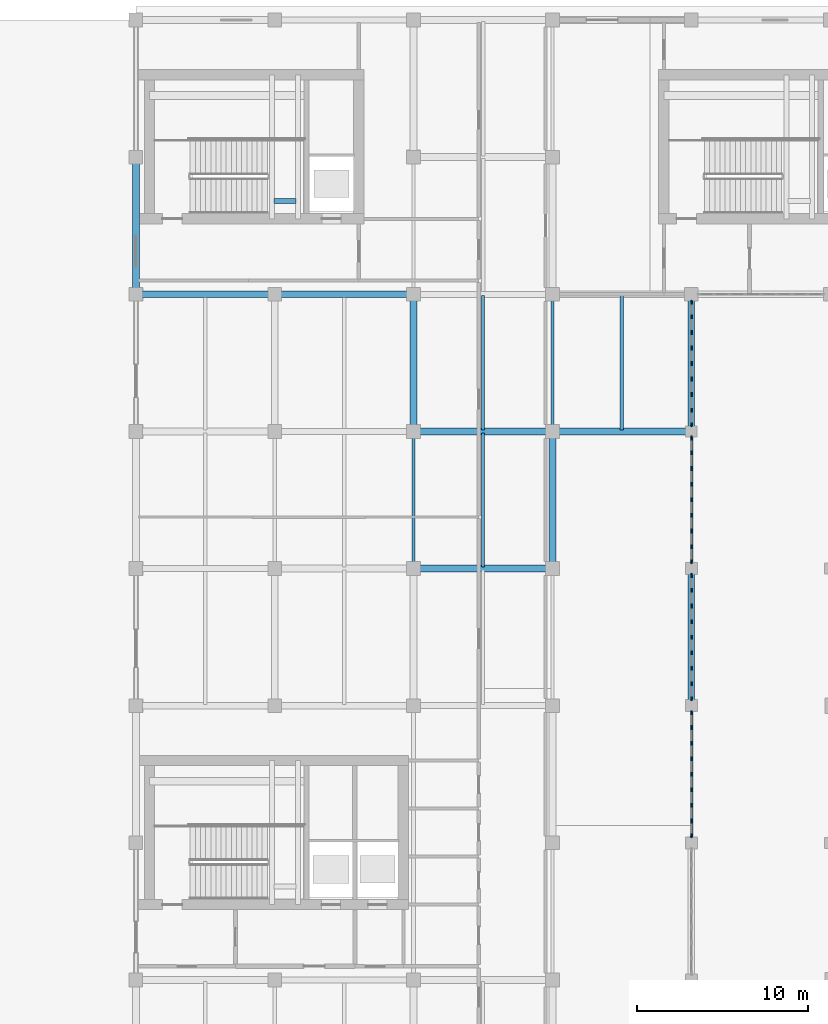
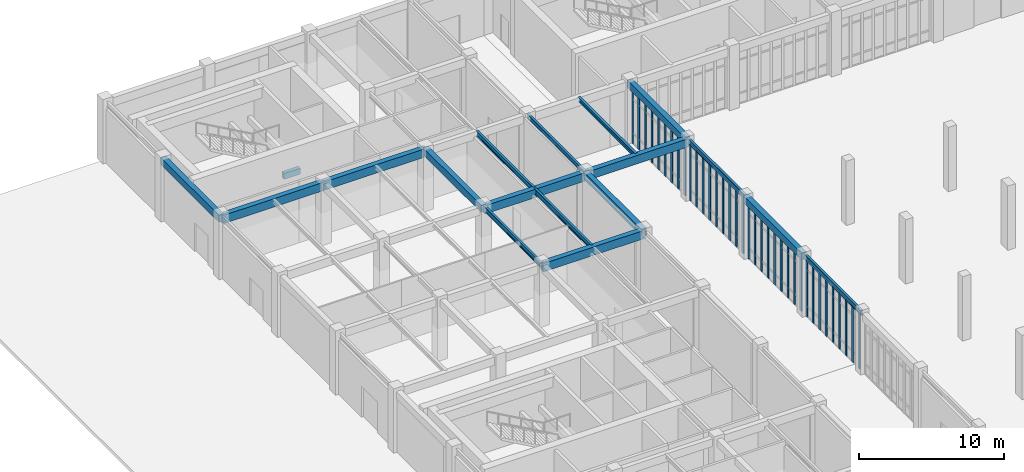
# One storey, part 13 of 62: 36 members, 18 beams, 4 elements without a shape of their own.
"""IFC4 building model written with IfcOpenShell, lengths in metres."""

from ifc_helpers import new_model, si_unit, direction, frame, origin, origin_2d, place, context, subcontext, project, spatial, rectangle, i_section, extrude, material, material_profile, profile_set, type_object, element, aggregate, save


model = new_model("IFC4")

# Units and contexts
model_context = context("Model", 3, precision=1e-05, world=origin(), true_north=direction((0.0, 1.0)))
body_context = subcontext(model_context, "Body", "Model", "MODEL_VIEW")
ifc_project = project(units=[si_unit("LENGTHUNIT", "METRE"), si_unit("AREAUNIT", "SQUARE_METRE"), si_unit("VOLUMEUNIT", "CUBIC_METRE"), si_unit("PLANEANGLEUNIT", "RADIAN"), si_unit("MASSUNIT", "GRAM", prefix="KILO")], contexts=[model_context])

# Site, building, storey
site_placement = place(None, origin())
site = spatial("IfcSite", under=ifc_project, at=site_placement, CompositionType="ELEMENT")
building_placement = place(site_placement, origin())
building = spatial("IfcBuilding", under=site, at=building_placement, Name="Tarnveldt Square Police Headquarters", CompositionType="ELEMENT")
storey_placement = place(building_placement, origin())
storey = spatial("IfcBuildingStorey", under=building, at=storey_placement, Name="L00", CompositionType="ELEMENT", Elevation=0.0)

# Beams
ifc_material_1 = material(Name="Concrete 40 MPa", Category="concrete")
ifc_material_profile_1 = material_profile(ifc_material_1, rectangle(XDim=0.300048828125, YDim=0.5, at=origin_2d()), Name="RC-B300x500")
ifc_profile_set_1 = profile_set([ifc_material_profile_1], Name="Concrete 40 MPa")
beam_type_1 = type_object("IfcBeamType", Name="BM-RC300x500", PredefinedType="BEAM", material=ifc_profile_set_1)
beam_1_placement = place(storey_placement, frame((24.25, 101.449951171875, 2.25), z_axis=(1.0, 0.0, 0.0), x_axis=(0.0, 1.0, 0.0)))
element("IfcBeam", 1, at=beam_1_placement, inside=storey, type_object=beam_type_1, Name="ST2 L00 Half-Landing Support Beam 2", PredefinedType="BEAM", context=body_context, shape_type="SweptSolid", body=[
    extrude(rectangle(XDim=0.300048828125, YDim=0.5, at=origin_2d()), origin(), (0.0, 0.0, 1.0), 1.300048828125),
])
ifc_material_profile_2 = material_profile(ifc_material_1, rectangle(XDim=0.39990234375, YDim=0.60009765625, at=origin_2d()), Name="RC-B400x600")
ifc_profile_set_2 = profile_set([ifc_material_profile_2], Name="Concrete 40 MPa")
beam_type_2 = type_object("IfcBeamType", Name="BM-RC400x600", PredefinedType="BEAM", material=ifc_profile_set_2)
for number, where, z_axis, x_axis, name in (
    (2, (16.199951171875, 96.0, 4.820068359375), (0.0, 1.0, 0.0), (-1.0, 0.0, 0.0), "L01 Grid Girder Y-0353"),
    (3, (32.39990234375, 88.0, 4.820068359375), (0.0, 1.0, 0.0), (-1.0, 0.0, 0.0), "L01 Grid Girder Y-0371"),
    (4, (40.5, 80.0, 4.820068359375), (0.0, 1.0, 0.0), (-1.0, 0.0, 0.0), "L01 Grid Girder Y-0383"),
    (5, (48.60009765625, 72.0, 4.820068359375), (0.0, 1.0, 0.0), (-1.0, 0.0, 0.0), "L01 Grid Girder Y-0393"),
    (6, (48.60009765625, 88.0, 4.820068359375), (0.0, 1.0, 0.0), (-1.0, 0.0, 0.0), "L01 Grid Girder Y-0395"),
):
    element("IfcBeam", number, at=place(storey_placement, frame(where, z_axis=z_axis, x_axis=x_axis)), inside=storey, type_object=beam_type_2, Name=name, PredefinedType="BEAM", context=body_context, shape_type="SweptSolid", body=[
        extrude(rectangle(XDim=0.39990234375, YDim=0.60009765625, at=origin_2d()), origin(), (0.0, 0.0, 1.0), 8.0),
    ])
ifc_material_profile_3 = material_profile(ifc_material_1, rectangle(XDim=0.39990234375, YDim=0.699951171875, at=origin_2d()), Name="RC-B400x700")
ifc_profile_set_3 = profile_set([ifc_material_profile_3], Name="Concrete 40 MPa")
beam_type_3 = type_object("IfcBeamType", Name="BM-RC400x700", PredefinedType="BEAM", material=ifc_profile_set_3)
for number, where, z_axis, x_axis, name in (
    (7, (32.39990234375, 80.0, 4.77001953125), (1.0, 0.0, 0.0), (0.0, 1.0, 0.0), "L01 Grid Girder X-0297"),
    (8, (32.39990234375, 88.0, 4.77001953125), (1.0, 0.0, 0.0), (0.0, 1.0, 0.0), "L01 Grid Girder X-0302"),
    (9, (40.5, 88.0, 4.77001953125), (1.0, 0.0, 0.0), (0.0, 1.0, 0.0), "L01 Grid Girder X-0303"),
    (10, (16.199951171875, 96.0, 4.77001953125), (1.0, 0.0, 0.0), (0.0, 1.0, 0.0), "L01 Grid Girder X-0305"),
):
    element("IfcBeam", number, at=place(storey_placement, frame(where, z_axis=z_axis, x_axis=x_axis)), inside=storey, type_object=beam_type_3, Name=name, PredefinedType="BEAM", context=body_context, shape_type="SweptSolid", body=[
        extrude(rectangle(XDim=0.39990234375, YDim=0.699951171875, at=origin_2d()), origin(), (0.0, 0.0, 1.0), 8.10009765625),
    ])
beam_2_placement = place(storey_placement, frame((24.300048828125, 96.0, 4.77001953125), z_axis=(1.0, 0.0, 0.0), x_axis=(0.0, 1.0, 0.0)))
element("IfcBeam", 11, at=beam_2_placement, inside=storey, type_object=beam_type_3, Name="L01 Grid Girder X-0306", PredefinedType="BEAM", context=body_context, shape_type="SweptSolid", body=[
    extrude(rectangle(XDim=0.39990234375, YDim=0.699951171875, at=origin_2d()), origin(), (0.0, 0.0, 1.0), 8.099853515625),
])
ifc_material_2 = material(Name="Steel 350W", Category="steel")
ifc_material_profile_4 = material_profile(ifc_material_2, i_section(OverallWidth=0.205078125, OverallDepth=0.35400390625, WebThickness=0.009521484375, FlangeThickness=0.016845703125, FilletRadius=0.01611328125, at=origin_2d()), Name="W360x79")
ifc_profile_set_4 = profile_set([ifc_material_profile_4], Name="Steel 350W")
beam_type_4 = type_object("IfcBeamType", Name="BM-W360x79", PredefinedType="JOIST", material=ifc_profile_set_4)
beam_3_placement = place(storey_placement, frame((44.550048828125, 88.080078125, 4.943115234375), z_axis=(0.0, 1.0, 0.0), x_axis=(-1.0, 0.0, 0.0)))
element("IfcBeam", 12, at=beam_3_placement, inside=storey, type_object=beam_type_4, Name="L01 Secondary Floor Joist 0082", PredefinedType="JOIST", context=body_context, shape_type="SweptSolid", body=[
    extrude(i_section(OverallWidth=0.205078125, OverallDepth=0.35400390625, WebThickness=0.009521484375, FlangeThickness=0.016845703125, FilletRadius=0.01611328125, at=origin_2d()), origin(), (0.0, 0.0, 1.0), 7.83984375),
])
ifc_material_profile_5 = material_profile(ifc_material_2, i_section(OverallWidth=0.177978515625, OverallDepth=0.406982421875, WebThickness=0.0078125, FlangeThickness=0.0126953125, FilletRadius=0.01611328125, at=origin_2d()), Name="W410x60")
ifc_profile_set_5 = profile_set([ifc_material_profile_5], Name="Steel 350W")
beam_type_5 = type_object("IfcBeamType", Name="BM-W410x60", PredefinedType="JOIST", material=ifc_profile_set_5)
for number, where, z_axis, x_axis, name in (
    (13, (36.449951171875, 80.080078125, 4.91650390625), (0.0, 1.0, 0.0), (-1.0, 0.0, 0.0), "L01 Secondary Floor Joist 0077"),
    (14, (36.449951171875, 88.080078125, 4.91650390625), (0.0, 1.0, 0.0), (-1.0, 0.0, 0.0), "L01 Secondary Floor Joist 0081"),
):
    element("IfcBeam", number, at=place(storey_placement, frame(where, z_axis=z_axis, x_axis=x_axis)), inside=storey, type_object=beam_type_5, Name=name, PredefinedType="JOIST", context=body_context, shape_type="SweptSolid", body=[
        extrude(i_section(OverallWidth=0.177978515625, OverallDepth=0.406982421875, WebThickness=0.0078125, FlangeThickness=0.0126953125, FilletRadius=0.01611328125, at=origin_2d()), origin(), (0.0, 0.0, 1.0), 7.83984375),
    ])
ifc_material_profile_6 = material_profile(ifc_material_2, i_section(OverallWidth=0.180908203125, OverallDepth=0.4169921875, WebThickness=0.010986328125, FlangeThickness=0.018310546875, FilletRadius=0.01611328125, at=origin_2d()), Name="W410x85")
ifc_profile_set_6 = profile_set([ifc_material_profile_6], Name="Steel 350W")
beam_type_6 = type_object("IfcBeamType", Name="BM-W410x85", PredefinedType="BEAM", material=ifc_profile_set_6)
for number, where, z_axis, x_axis, name in (
    (15, (32.39990234375, 80.0, 4.91162109375), (0.0, 1.0, 0.0), (-1.0, 0.0, 0.0), "L01 Grid Girder Y-0370"),
    (16, (40.5, 88.0, 4.91162109375), (0.0, 1.0, 0.0), (-1.0, 0.0, 0.0), "L01 Grid Girder Y-0384"),
    (17, (48.60009765625, 64.0, 4.91162109375), (0.0, 1.0, 0.0), (-1.0, 0.0, 0.0), "L01 Grid Girder Y-0392"),
    (18, (48.60009765625, 80.0, 4.91162109375), (0.0, 1.0, 0.0), (-1.0, 0.0, 0.0), "L01 Grid Girder Y-0394"),
):
    element("IfcBeam", number, at=place(storey_placement, frame(where, z_axis=z_axis, x_axis=x_axis)), inside=storey, type_object=beam_type_6, Name=name, PredefinedType="BEAM", context=body_context, shape_type="SweptSolid", body=[
        extrude(i_section(OverallWidth=0.180908203125, OverallDepth=0.4169921875, WebThickness=0.010986328125, FlangeThickness=0.018310546875, FilletRadius=0.01611328125, at=origin_2d()), origin(), (0.0, 0.0, 1.0), 8.0),
    ])

# Curtain wall, members
ifc_material_3 = material(Name="Triple-glazed low-e laminated vision glass", Category="glass")
curtain_wall_type_1 = type_object("IfcCurtainWallType", Name="CW-WG-727x470", PredefinedType="USERDEFINED", material=ifc_material_3)
curtain_wall_1_placement = place(storey_placement, origin())
curtain_wall_1 = element("IfcCurtainWall", 19, at=curtain_wall_1_placement, inside=storey, type_object=curtain_wall_type_1, Name="L00 Curtain Wall CW-L00-063", ObjectType="GLAZED CURTAIN WALL", PredefinedType="USERDEFINED")
ifc_material_4 = material(Name="Thermally broken anodised aluminium 6063-T6", Category="aluminium")
ifc_material_profile_7 = material_profile(ifc_material_4, rectangle(XDim=0.0849609375, YDim=0.239990234375, at=origin_2d()), Name="CW-M85x240")
ifc_profile_set_7 = profile_set([ifc_material_profile_7], Name="Thermally broken anodised aluminium 6063-T6")
member_type = type_object("IfcMemberType", Name="CWM-85x240", PredefinedType="MULLION", material=ifc_profile_set_7)
member_1_placement = place(storey_placement, frame((48.60009765625, 64.407470703125, 0.0), z_axis=(0.0, 0.0, 1.0), x_axis=(-1.0, 0.0, 0.0)))
member_1 = element("IfcMember", 20, at=member_1_placement, type_object=member_type, Name="CW-WG25 mullion 1", PredefinedType="MULLION", context=body_context, shape_type="SweptSolid", body=[
    extrude(rectangle(XDim=0.0849609375, YDim=0.239990234375, at=origin_2d()), origin(), (0.0, 0.0, 1.0), 4.695068359375),
])
member_2_placement = place(storey_placement, frame((48.60009765625, 65.273681640625, 0.0), z_axis=(0.0, 0.0, 1.0), x_axis=(-1.0, 0.0, 0.0)))
member_2 = element("IfcMember", 21, at=member_2_placement, type_object=member_type, Name="CW-WG25 mullion 2", PredefinedType="MULLION", context=body_context, shape_type="SweptSolid", body=[
    extrude(rectangle(XDim=0.0849609375, YDim=0.239990234375, at=origin_2d()), origin(), (0.0, 0.0, 1.0), 4.695068359375),
])
member_3_placement = place(storey_placement, frame((48.60009765625, 66.1826171875, 0.0), z_axis=(0.0, 0.0, 1.0), x_axis=(-1.0, 0.0, 0.0)))
member_3 = element("IfcMember", 22, at=member_3_placement, type_object=member_type, Name="CW-WG25 mullion 3", PredefinedType="MULLION", context=body_context, shape_type="SweptSolid", body=[
    extrude(rectangle(XDim=0.0849609375, YDim=0.239990234375, at=origin_2d()), origin(), (0.0, 0.0, 1.0), 4.695068359375),
])
member_4_placement = place(storey_placement, frame((48.60009765625, 67.09130859375, 0.0), z_axis=(0.0, 0.0, 1.0), x_axis=(-1.0, 0.0, 0.0)))
member_4 = element("IfcMember", 23, at=member_4_placement, type_object=member_type, Name="CW-WG25 mullion 4", PredefinedType="MULLION", context=body_context, shape_type="SweptSolid", body=[
    extrude(rectangle(XDim=0.0849609375, YDim=0.239990234375, at=origin_2d()), origin(), (0.0, 0.0, 1.0), 4.695068359375),
])
member_5_placement = place(storey_placement, frame((48.60009765625, 68.0, 0.0), z_axis=(0.0, 0.0, 1.0), x_axis=(-1.0, 0.0, 0.0)))
member_5 = element("IfcMember", 24, at=member_5_placement, type_object=member_type, Name="CW-WG25 mullion 5", PredefinedType="MULLION", context=body_context, shape_type="SweptSolid", body=[
    extrude(rectangle(XDim=0.0849609375, YDim=0.239990234375, at=origin_2d()), origin(), (0.0, 0.0, 1.0), 4.695068359375),
])
member_6_placement = place(storey_placement, frame((48.60009765625, 68.90869140625, 0.0), z_axis=(0.0, 0.0, 1.0), x_axis=(-1.0, 0.0, 0.0)))
member_6 = element("IfcMember", 25, at=member_6_placement, type_object=member_type, Name="CW-WG25 mullion 6", PredefinedType="MULLION", context=body_context, shape_type="SweptSolid", body=[
    extrude(rectangle(XDim=0.0849609375, YDim=0.239990234375, at=origin_2d()), origin(), (0.0, 0.0, 1.0), 4.695068359375),
])
member_7_placement = place(storey_placement, frame((48.60009765625, 69.8173828125, 0.0), z_axis=(0.0, 0.0, 1.0), x_axis=(-1.0, 0.0, 0.0)))
member_7 = element("IfcMember", 26, at=member_7_placement, type_object=member_type, Name="CW-WG25 mullion 7", PredefinedType="MULLION", context=body_context, shape_type="SweptSolid", body=[
    extrude(rectangle(XDim=0.0849609375, YDim=0.239990234375, at=origin_2d()), origin(), (0.0, 0.0, 1.0), 4.695068359375),
])
member_8_placement = place(storey_placement, frame((48.60009765625, 70.726318359375, 0.0), z_axis=(0.0, 0.0, 1.0), x_axis=(-1.0, 0.0, 0.0)))
member_8 = element("IfcMember", 27, at=member_8_placement, type_object=member_type, Name="CW-WG25 mullion 8", PredefinedType="MULLION", context=body_context, shape_type="SweptSolid", body=[
    extrude(rectangle(XDim=0.0849609375, YDim=0.239990234375, at=origin_2d()), origin(), (0.0, 0.0, 1.0), 4.695068359375),
])
member_9_placement = place(storey_placement, frame((48.60009765625, 71.592529296875, 0.0), z_axis=(0.0, 0.0, 1.0), x_axis=(-1.0, 0.0, 0.0)))
member_9 = element("IfcMember", 28, at=member_9_placement, type_object=member_type, Name="CW-WG25 mullion 9", PredefinedType="MULLION", context=body_context, shape_type="SweptSolid", body=[
    extrude(rectangle(XDim=0.0849609375, YDim=0.239990234375, at=origin_2d()), origin(), (0.0, 0.0, 1.0), 4.695068359375),
])
aggregate(curtain_wall_1, [member_1, member_2, member_3, member_4, member_5, member_6, member_7, member_8, member_9])

curtain_wall_type_2 = type_object("IfcCurtainWallType", Name="CW-WG-727x451", PredefinedType="USERDEFINED", material=ifc_material_3)
curtain_wall_2_placement = place(storey_placement, origin())
curtain_wall_2 = element("IfcCurtainWall", 29, at=curtain_wall_2_placement, inside=storey, type_object=curtain_wall_type_2, Name="L00 Curtain Wall CW-L00-064", ObjectType="GLAZED CURTAIN WALL", PredefinedType="USERDEFINED")
member_10_placement = place(storey_placement, frame((48.60009765625, 72.407470703125, 0.0), z_axis=(0.0, 0.0, 1.0), x_axis=(-1.0, 0.0, 0.0)))
member_10 = element("IfcMember", 30, at=member_10_placement, type_object=member_type, Name="CW-WG24 mullion 1", PredefinedType="MULLION", context=body_context, shape_type="SweptSolid", body=[
    extrude(rectangle(XDim=0.0849609375, YDim=0.239990234375, at=origin_2d()), origin(), (0.0, 0.0, 1.0), 4.511962890625),
])
member_11_placement = place(storey_placement, frame((48.60009765625, 73.273681640625, 0.0), z_axis=(0.0, 0.0, 1.0), x_axis=(-1.0, 0.0, 0.0)))
member_11 = element("IfcMember", 31, at=member_11_placement, type_object=member_type, Name="CW-WG24 mullion 2", PredefinedType="MULLION", context=body_context, shape_type="SweptSolid", body=[
    extrude(rectangle(XDim=0.0849609375, YDim=0.239990234375, at=origin_2d()), origin(), (0.0, 0.0, 1.0), 4.511962890625),
])
member_12_placement = place(storey_placement, frame((48.60009765625, 74.1826171875, 0.0), z_axis=(0.0, 0.0, 1.0), x_axis=(-1.0, 0.0, 0.0)))
member_12 = element("IfcMember", 32, at=member_12_placement, type_object=member_type, Name="CW-WG24 mullion 3", PredefinedType="MULLION", context=body_context, shape_type="SweptSolid", body=[
    extrude(rectangle(XDim=0.0849609375, YDim=0.239990234375, at=origin_2d()), origin(), (0.0, 0.0, 1.0), 4.511962890625),
])
member_13_placement = place(storey_placement, frame((48.60009765625, 75.09130859375, 0.0), z_axis=(0.0, 0.0, 1.0), x_axis=(-1.0, 0.0, 0.0)))
member_13 = element("IfcMember", 33, at=member_13_placement, type_object=member_type, Name="CW-WG24 mullion 4", PredefinedType="MULLION", context=body_context, shape_type="SweptSolid", body=[
    extrude(rectangle(XDim=0.0849609375, YDim=0.239990234375, at=origin_2d()), origin(), (0.0, 0.0, 1.0), 4.511962890625),
])
member_14_placement = place(storey_placement, frame((48.60009765625, 76.0, 0.0), z_axis=(0.0, 0.0, 1.0), x_axis=(-1.0, 0.0, 0.0)))
member_14 = element("IfcMember", 34, at=member_14_placement, type_object=member_type, Name="CW-WG24 mullion 5", PredefinedType="MULLION", context=body_context, shape_type="SweptSolid", body=[
    extrude(rectangle(XDim=0.0849609375, YDim=0.239990234375, at=origin_2d()), origin(), (0.0, 0.0, 1.0), 4.511962890625),
])
member_15_placement = place(storey_placement, frame((48.60009765625, 76.90869140625, 0.0), z_axis=(0.0, 0.0, 1.0), x_axis=(-1.0, 0.0, 0.0)))
member_15 = element("IfcMember", 35, at=member_15_placement, type_object=member_type, Name="CW-WG24 mullion 6", PredefinedType="MULLION", context=body_context, shape_type="SweptSolid", body=[
    extrude(rectangle(XDim=0.0849609375, YDim=0.239990234375, at=origin_2d()), origin(), (0.0, 0.0, 1.0), 4.511962890625),
])
member_16_placement = place(storey_placement, frame((48.60009765625, 77.8173828125, 0.0), z_axis=(0.0, 0.0, 1.0), x_axis=(-1.0, 0.0, 0.0)))
member_16 = element("IfcMember", 36, at=member_16_placement, type_object=member_type, Name="CW-WG24 mullion 7", PredefinedType="MULLION", context=body_context, shape_type="SweptSolid", body=[
    extrude(rectangle(XDim=0.0849609375, YDim=0.239990234375, at=origin_2d()), origin(), (0.0, 0.0, 1.0), 4.511962890625),
])
member_17_placement = place(storey_placement, frame((48.60009765625, 78.726318359375, 0.0), z_axis=(0.0, 0.0, 1.0), x_axis=(-1.0, 0.0, 0.0)))
member_17 = element("IfcMember", 37, at=member_17_placement, type_object=member_type, Name="CW-WG24 mullion 8", PredefinedType="MULLION", context=body_context, shape_type="SweptSolid", body=[
    extrude(rectangle(XDim=0.0849609375, YDim=0.239990234375, at=origin_2d()), origin(), (0.0, 0.0, 1.0), 4.511962890625),
])
member_18_placement = place(storey_placement, frame((48.60009765625, 79.592529296875, 0.0), z_axis=(0.0, 0.0, 1.0), x_axis=(-1.0, 0.0, 0.0)))
member_18 = element("IfcMember", 38, at=member_18_placement, type_object=member_type, Name="CW-WG24 mullion 9", PredefinedType="MULLION", context=body_context, shape_type="SweptSolid", body=[
    extrude(rectangle(XDim=0.0849609375, YDim=0.239990234375, at=origin_2d()), origin(), (0.0, 0.0, 1.0), 4.511962890625),
])
aggregate(curtain_wall_2, [member_10, member_11, member_12, member_13, member_14, member_15, member_16, member_17, member_18])

curtain_wall_type_3 = type_object("IfcCurtainWallType", Name="CW-WG-730x470", PredefinedType="USERDEFINED", material=ifc_material_3)
curtain_wall_3_placement = place(storey_placement, origin())
curtain_wall_3 = element("IfcCurtainWall", 39, at=curtain_wall_3_placement, inside=storey, type_object=curtain_wall_type_3, Name="L00 Curtain Wall CW-L00-065", ObjectType="GLAZED CURTAIN WALL", PredefinedType="USERDEFINED")
member_19_placement = place(storey_placement, frame((48.60009765625, 80.407470703125, 0.0), z_axis=(0.0, 0.0, 1.0), x_axis=(-1.0, 0.0, 0.0)))
member_19 = element("IfcMember", 40, at=member_19_placement, type_object=member_type, Name="CW-WG26 mullion 1", PredefinedType="MULLION", context=body_context, shape_type="SweptSolid", body=[
    extrude(rectangle(XDim=0.0849609375, YDim=0.239990234375, at=origin_2d()), origin(), (0.0, 0.0, 1.0), 4.695068359375),
])
member_20_placement = place(storey_placement, frame((48.60009765625, 81.27685546875, 0.0), z_axis=(0.0, 0.0, 1.0), x_axis=(-1.0, 0.0, 0.0)))
member_20 = element("IfcMember", 41, at=member_20_placement, type_object=member_type, Name="CW-WG26 mullion 2", PredefinedType="MULLION", context=body_context, shape_type="SweptSolid", body=[
    extrude(rectangle(XDim=0.0849609375, YDim=0.239990234375, at=origin_2d()), origin(), (0.0, 0.0, 1.0), 4.695068359375),
])
member_21_placement = place(storey_placement, frame((48.60009765625, 82.188720703125, 0.0), z_axis=(0.0, 0.0, 1.0), x_axis=(-1.0, 0.0, 0.0)))
member_21 = element("IfcMember", 42, at=member_21_placement, type_object=member_type, Name="CW-WG26 mullion 3", PredefinedType="MULLION", context=body_context, shape_type="SweptSolid", body=[
    extrude(rectangle(XDim=0.0849609375, YDim=0.239990234375, at=origin_2d()), origin(), (0.0, 0.0, 1.0), 4.695068359375),
])
member_22_placement = place(storey_placement, frame((48.60009765625, 83.1005859375, 0.0), z_axis=(0.0, 0.0, 1.0), x_axis=(-1.0, 0.0, 0.0)))
member_22 = element("IfcMember", 43, at=member_22_placement, type_object=member_type, Name="CW-WG26 mullion 4", PredefinedType="MULLION", context=body_context, shape_type="SweptSolid", body=[
    extrude(rectangle(XDim=0.0849609375, YDim=0.239990234375, at=origin_2d()), origin(), (0.0, 0.0, 1.0), 4.695068359375),
])
member_23_placement = place(storey_placement, frame((48.60009765625, 84.012451171875, 0.0), z_axis=(0.0, 0.0, 1.0), x_axis=(-1.0, 0.0, 0.0)))
member_23 = element("IfcMember", 44, at=member_23_placement, type_object=member_type, Name="CW-WG26 mullion 5", PredefinedType="MULLION", context=body_context, shape_type="SweptSolid", body=[
    extrude(rectangle(XDim=0.0849609375, YDim=0.239990234375, at=origin_2d()), origin(), (0.0, 0.0, 1.0), 4.695068359375),
])
member_24_placement = place(storey_placement, frame((48.60009765625, 84.92431640625, 0.0), z_axis=(0.0, 0.0, 1.0), x_axis=(-1.0, 0.0, 0.0)))
member_24 = element("IfcMember", 45, at=member_24_placement, type_object=member_type, Name="CW-WG26 mullion 6", PredefinedType="MULLION", context=body_context, shape_type="SweptSolid", body=[
    extrude(rectangle(XDim=0.0849609375, YDim=0.239990234375, at=origin_2d()), origin(), (0.0, 0.0, 1.0), 4.695068359375),
])
member_25_placement = place(storey_placement, frame((48.60009765625, 85.836181640625, 0.0), z_axis=(0.0, 0.0, 1.0), x_axis=(-1.0, 0.0, 0.0)))
member_25 = element("IfcMember", 46, at=member_25_placement, type_object=member_type, Name="CW-WG26 mullion 7", PredefinedType="MULLION", context=body_context, shape_type="SweptSolid", body=[
    extrude(rectangle(XDim=0.0849609375, YDim=0.239990234375, at=origin_2d()), origin(), (0.0, 0.0, 1.0), 4.695068359375),
])
member_26_placement = place(storey_placement, frame((48.60009765625, 86.748046875, 0.0), z_axis=(0.0, 0.0, 1.0), x_axis=(-1.0, 0.0, 0.0)))
member_26 = element("IfcMember", 47, at=member_26_placement, type_object=member_type, Name="CW-WG26 mullion 8", PredefinedType="MULLION", context=body_context, shape_type="SweptSolid", body=[
    extrude(rectangle(XDim=0.0849609375, YDim=0.239990234375, at=origin_2d()), origin(), (0.0, 0.0, 1.0), 4.695068359375),
])
member_27_placement = place(storey_placement, frame((48.60009765625, 87.617431640625, 0.0), z_axis=(0.0, 0.0, 1.0), x_axis=(-1.0, 0.0, 0.0)))
member_27 = element("IfcMember", 48, at=member_27_placement, type_object=member_type, Name="CW-WG26 mullion 9", PredefinedType="MULLION", context=body_context, shape_type="SweptSolid", body=[
    extrude(rectangle(XDim=0.0849609375, YDim=0.239990234375, at=origin_2d()), origin(), (0.0, 0.0, 1.0), 4.695068359375),
])
aggregate(curtain_wall_3, [member_19, member_20, member_21, member_22, member_23, member_24, member_25, member_26, member_27])

curtain_wall_type_4 = type_object("IfcCurtainWallType", Name="CW-WG-724x451", PredefinedType="USERDEFINED", material=ifc_material_3)
curtain_wall_4_placement = place(storey_placement, origin())
curtain_wall_4 = element("IfcCurtainWall", 49, at=curtain_wall_4_placement, inside=storey, type_object=curtain_wall_type_4, Name="L00 Curtain Wall CW-L00-066", ObjectType="GLAZED CURTAIN WALL", PredefinedType="USERDEFINED")
member_28_placement = place(storey_placement, frame((48.60009765625, 88.382568359375, 0.0), z_axis=(0.0, 0.0, 1.0), x_axis=(-1.0, 0.0, 0.0)))
member_28 = element("IfcMember", 50, at=member_28_placement, type_object=member_type, Name="CW-WG27 mullion 1", PredefinedType="MULLION", context=body_context, shape_type="SweptSolid", body=[
    extrude(rectangle(XDim=0.0849609375, YDim=0.239990234375, at=origin_2d()), origin(), (0.0, 0.0, 1.0), 4.511962890625),
])
member_29_placement = place(storey_placement, frame((48.60009765625, 89.24560546875, 0.0), z_axis=(0.0, 0.0, 1.0), x_axis=(-1.0, 0.0, 0.0)))
member_29 = element("IfcMember", 51, at=member_29_placement, type_object=member_type, Name="CW-WG27 mullion 2", PredefinedType="MULLION", context=body_context, shape_type="SweptSolid", body=[
    extrude(rectangle(XDim=0.0849609375, YDim=0.239990234375, at=origin_2d()), origin(), (0.0, 0.0, 1.0), 4.511962890625),
])
member_30_placement = place(storey_placement, frame((48.60009765625, 90.1513671875, 0.0), z_axis=(0.0, 0.0, 1.0), x_axis=(-1.0, 0.0, 0.0)))
member_30 = element("IfcMember", 52, at=member_30_placement, type_object=member_type, Name="CW-WG27 mullion 3", PredefinedType="MULLION", context=body_context, shape_type="SweptSolid", body=[
    extrude(rectangle(XDim=0.0849609375, YDim=0.239990234375, at=origin_2d()), origin(), (0.0, 0.0, 1.0), 4.511962890625),
])
member_31_placement = place(storey_placement, frame((48.60009765625, 91.056884765625, 0.0), z_axis=(0.0, 0.0, 1.0), x_axis=(-1.0, 0.0, 0.0)))
member_31 = element("IfcMember", 53, at=member_31_placement, type_object=member_type, Name="CW-WG27 mullion 4", PredefinedType="MULLION", context=body_context, shape_type="SweptSolid", body=[
    extrude(rectangle(XDim=0.0849609375, YDim=0.239990234375, at=origin_2d()), origin(), (0.0, 0.0, 1.0), 4.511962890625),
])
member_32_placement = place(storey_placement, frame((48.60009765625, 91.96240234375, 0.0), z_axis=(0.0, 0.0, 1.0), x_axis=(-1.0, 0.0, 0.0)))
member_32 = element("IfcMember", 54, at=member_32_placement, type_object=member_type, Name="CW-WG27 mullion 5", PredefinedType="MULLION", context=body_context, shape_type="SweptSolid", body=[
    extrude(rectangle(XDim=0.0849609375, YDim=0.239990234375, at=origin_2d()), origin(), (0.0, 0.0, 1.0), 4.511962890625),
])
member_33_placement = place(storey_placement, frame((48.60009765625, 92.8681640625, 0.0), z_axis=(0.0, 0.0, 1.0), x_axis=(-1.0, 0.0, 0.0)))
member_33 = element("IfcMember", 55, at=member_33_placement, type_object=member_type, Name="CW-WG27 mullion 6", PredefinedType="MULLION", context=body_context, shape_type="SweptSolid", body=[
    extrude(rectangle(XDim=0.0849609375, YDim=0.239990234375, at=origin_2d()), origin(), (0.0, 0.0, 1.0), 4.511962890625),
])
member_34_placement = place(storey_placement, frame((48.60009765625, 93.773681640625, 0.0), z_axis=(0.0, 0.0, 1.0), x_axis=(-1.0, 0.0, 0.0)))
member_34 = element("IfcMember", 56, at=member_34_placement, type_object=member_type, Name="CW-WG27 mullion 7", PredefinedType="MULLION", context=body_context, shape_type="SweptSolid", body=[
    extrude(rectangle(XDim=0.0849609375, YDim=0.239990234375, at=origin_2d()), origin(), (0.0, 0.0, 1.0), 4.511962890625),
])
member_35_placement = place(storey_placement, frame((48.60009765625, 94.679443359375, 0.0), z_axis=(0.0, 0.0, 1.0), x_axis=(-1.0, 0.0, 0.0)))
member_35 = element("IfcMember", 57, at=member_35_placement, type_object=member_type, Name="CW-WG27 mullion 8", PredefinedType="MULLION", context=body_context, shape_type="SweptSolid", body=[
    extrude(rectangle(XDim=0.0849609375, YDim=0.239990234375, at=origin_2d()), origin(), (0.0, 0.0, 1.0), 4.511962890625),
])
member_36_placement = place(storey_placement, frame((48.60009765625, 95.54248046875, 0.0), z_axis=(0.0, 0.0, 1.0), x_axis=(-1.0, 0.0, 0.0)))
member_36 = element("IfcMember", 58, at=member_36_placement, type_object=member_type, Name="CW-WG27 mullion 9", PredefinedType="MULLION", context=body_context, shape_type="SweptSolid", body=[
    extrude(rectangle(XDim=0.0849609375, YDim=0.239990234375, at=origin_2d()), origin(), (0.0, 0.0, 1.0), 4.511962890625),
])
aggregate(curtain_wall_4, [member_28, member_29, member_30, member_31, member_32, member_33, member_34, member_35, member_36])

save(model, "model.ifc")
